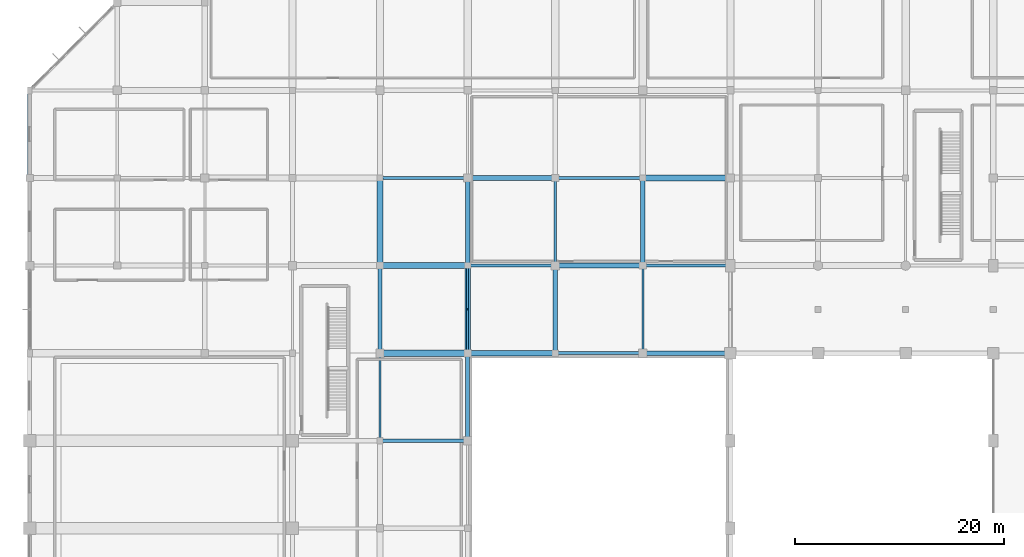
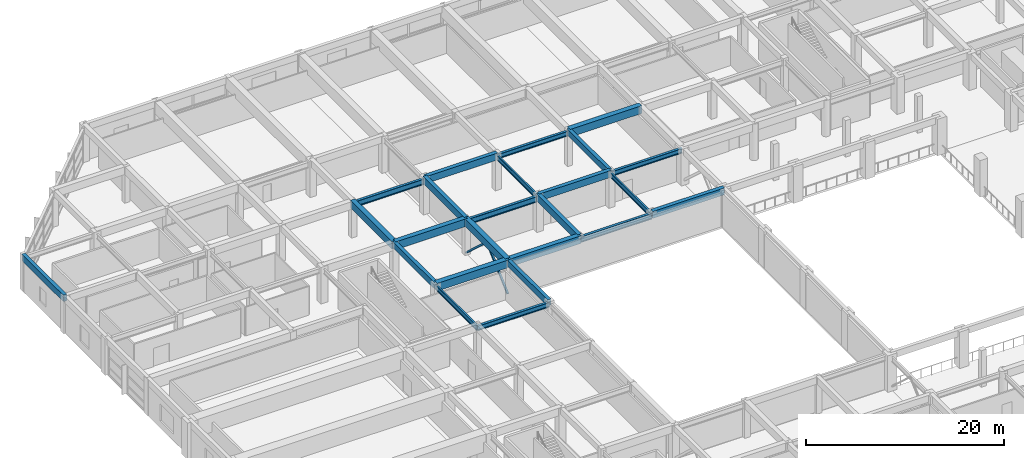
# One storey, part 23 of 65: 24 beams, 2 members.
"""IFC4 building model written with IfcOpenShell, lengths in metres."""

from ifc_helpers import new_model, si_unit, direction, frame, origin, origin_2d, place, context, subcontext, project, spatial, rectangle, hollow_rectangle, i_section, extrude, material, material_profile, profile_set, type_object, element, save


model = new_model("IFC4")

# Units and contexts
model_context = context("Model", 3, precision=1e-05, world=origin(), true_north=direction((0.0, 1.0)))
body_context = subcontext(model_context, "Body", "Model", "MODEL_VIEW")
ifc_project = project(units=[si_unit("LENGTHUNIT", "METRE"), si_unit("AREAUNIT", "SQUARE_METRE"), si_unit("VOLUMEUNIT", "CUBIC_METRE"), si_unit("PLANEANGLEUNIT", "RADIAN"), si_unit("MASSUNIT", "GRAM", prefix="KILO")], contexts=[model_context])

# Site, building, storey
site_placement = place(None, origin())
site = spatial("IfcSite", under=ifc_project, at=site_placement, CompositionType="ELEMENT")
building_placement = place(site_placement, origin())
building = spatial("IfcBuilding", under=site, at=building_placement, Name="Xuanlan Plaza Opera House", CompositionType="ELEMENT")
storey_placement = place(building_placement, frame((0.0, 0.0, 5.39990234375)))
storey = spatial("IfcBuildingStorey", under=building, at=storey_placement, Name="L01", CompositionType="ELEMENT", Elevation=5.39990234375)

# Beams
ifc_material_1 = material(Name="Concrete C50", Category="concrete")
ifc_material_profile_1 = material_profile(ifc_material_1, rectangle(XDim=0.60009765625, YDim=0.949951171875, at=origin_2d()), Name="RC-BM 600x950")
ifc_profile_set_1 = profile_set([ifc_material_profile_1], Name="Concrete C50")
beam_type_1 = type_object("IfcBeamType", Name="STR-BM-B-01", PredefinedType="BEAM", material=ifc_profile_set_1)
for number, where, z_axis, x_axis, name in (
    (1, (33.60009765625, 75.60009765625, 4.025146484375), (1.0, 0.0, 0.0), (0.0, 1.0, 0.0), "Grid Beam X L01 5-6/J"),
    (2, (58.800048828125, 92.39990234375, 4.025146484375), (1.0, 0.0, 0.0), (0.0, 1.0, 0.0), "Grid Beam X L01 8-9/L"),
):
    element("IfcBeam", number, at=place(storey_placement, frame(where, z_axis=z_axis, x_axis=x_axis)), inside=storey, type_object=beam_type_1, Name=name, PredefinedType="BEAM", context=body_context, shape_type="SweptSolid", body=[
        extrude(rectangle(XDim=0.60009765625, YDim=0.949951171875, at=origin_2d()), origin(), (0.0, 0.0, 1.0), 8.39990234375),
    ])
ifc_material_profile_2 = material_profile(ifc_material_1, rectangle(XDim=0.550048828125, YDim=0.949951171875, at=origin_2d()), Name="RC-BM 550x950")
ifc_profile_set_2 = profile_set([ifc_material_profile_2], Name="Concrete C50")
beam_type_2 = type_object("IfcBeamType", Name="STR-BM-B-02", PredefinedType="BEAM", material=ifc_profile_set_2)
for number, where, z_axis, x_axis, name in (
    (3, (42.0, 75.60009765625, 4.025146484375), (1.0, 0.0, 0.0), (0.0, 1.0, 0.0), "Grid Beam X L01 6-7/J"),
    (4, (33.60009765625, 84.0, 4.025146484375), (1.0, 0.0, 0.0), (0.0, 1.0, 0.0), "Grid Beam X L01 5-6/K"),
    (5, (33.60009765625, 84.0, 4.025146484375), (0.0, 1.0, 0.0), (-1.0, 0.0, 0.0), "Grid Beam Y L01 5/K-L"),
    (6, (42.0, 75.60009765625, 4.025146484375), (0.0, 1.0, 0.0), (-1.0, 0.0, 0.0), "Grid Beam Y L01 6/J-K"),
):
    element("IfcBeam", number, at=place(storey_placement, frame(where, z_axis=z_axis, x_axis=x_axis)), inside=storey, type_object=beam_type_2, Name=name, PredefinedType="BEAM", context=body_context, shape_type="SweptSolid", body=[
        extrude(rectangle(XDim=0.550048828125, YDim=0.949951171875, at=origin_2d()), origin(), (0.0, 0.0, 1.0), 8.39990234375),
    ])
ifc_material_2 = material(Name="Concrete C40", Category="concrete")
ifc_material_profile_3 = material_profile(ifc_material_2, rectangle(XDim=0.449951171875, YDim=0.85009765625, at=origin_2d()), Name="RC-BM 450x850")
ifc_profile_set_3 = profile_set([ifc_material_profile_3], Name="Concrete C40")
beam_type_3 = type_object("IfcBeamType", Name="STR-BM-B-04", PredefinedType="BEAM", material=ifc_profile_set_3)
beam_1_placement = place(storey_placement, frame((58.800048828125, 75.60009765625, 4.0751953125), z_axis=(1.0, 0.0, 0.0), x_axis=(0.0, 1.0, 0.0)))
element("IfcBeam", 7, at=beam_1_placement, inside=storey, type_object=beam_type_3, Name="Grid Beam X L01 8-9/J", PredefinedType="BEAM", context=body_context, shape_type="SweptSolid", body=[
    extrude(rectangle(XDim=0.449951171875, YDim=0.85009765625, at=origin_2d()), origin(), (0.0, 0.0, 1.0), 8.39990234375),
])
beam_2_placement = place(storey_placement, frame((50.39990234375, 84.0, 4.0751953125), z_axis=(1.0, 0.0, 0.0), x_axis=(0.0, 1.0, 0.0)))
element("IfcBeam", 8, at=beam_2_placement, inside=storey, type_object=beam_type_3, Name="Grid Beam X L01 7-8/K", PredefinedType="BEAM", context=body_context, shape_type="SweptSolid", body=[
    extrude(rectangle(XDim=0.449951171875, YDim=0.85009765625, at=origin_2d()), origin(), (0.0, 0.0, 1.0), 8.400146484375),
])
for number, where, z_axis, x_axis, name in (
    (9, (42.0, 92.39990234375, 4.0751953125), (1.0, 0.0, 0.0), (0.0, 1.0, 0.0), "Grid Beam X L01 6-7/L"),
    (10, (42.0, 84.0, 4.0751953125), (0.0, 1.0, 0.0), (-1.0, 0.0, 0.0), "Grid Beam Y L01 6/K-L"),
    (11, (50.39990234375, 75.60009765625, 4.0751953125), (0.0, 1.0, 0.0), (-1.0, 0.0, 0.0), "Grid Beam Y L01 7/J-K"),
):
    element("IfcBeam", number, at=place(storey_placement, frame(where, z_axis=z_axis, x_axis=x_axis)), inside=storey, type_object=beam_type_3, Name=name, PredefinedType="BEAM", context=body_context, shape_type="SweptSolid", body=[
        extrude(rectangle(XDim=0.449951171875, YDim=0.85009765625, at=origin_2d()), origin(), (0.0, 0.0, 1.0), 8.39990234375),
    ])
ifc_material_profile_4 = material_profile(ifc_material_2, rectangle(XDim=0.39990234375, YDim=0.75, at=origin_2d()), Name="RC-BM 400x750")
ifc_profile_set_4 = profile_set([ifc_material_profile_4], Name="Concrete C40")
beam_type_4 = type_object("IfcBeamType", Name="STR-BM-B-06", PredefinedType="BEAM", material=ifc_profile_set_4)
beam_3_placement = place(storey_placement, frame((33.60009765625, 75.60009765625, 4.125), z_axis=(0.0, 1.0, 0.0), x_axis=(-1.0, 0.0, 0.0)))
element("IfcBeam", 12, at=beam_3_placement, inside=storey, type_object=beam_type_4, Name="Grid Beam Y L01 5/J-K", PredefinedType="BEAM", context=body_context, shape_type="SweptSolid", body=[
    extrude(rectangle(XDim=0.39990234375, YDim=0.75, at=origin_2d()), origin(), (0.0, 0.0, 1.0), 8.39990234375),
])
beam_4_placement = place(storey_placement, frame((42.0, 67.199951171875, 4.125), z_axis=(0.0, 1.0, 0.0), x_axis=(-1.0, 0.0, 0.0)))
element("IfcBeam", 13, at=beam_4_placement, inside=storey, type_object=beam_type_4, Name="Grid Beam Y L01 6/I-J", PredefinedType="BEAM", context=body_context, shape_type="SweptSolid", body=[
    extrude(rectangle(XDim=0.39990234375, YDim=0.75, at=origin_2d()), origin(), (0.0, 0.0, 1.0), 8.400146484375),
])
beam_5_placement = place(storey_placement, frame((58.800048828125, 84.0, 4.125), z_axis=(0.0, 1.0, 0.0), x_axis=(-1.0, 0.0, 0.0)))
element("IfcBeam", 14, at=beam_5_placement, inside=storey, type_object=beam_type_4, Name="Grid Beam Y L01 8/K-L", PredefinedType="BEAM", context=body_context, shape_type="SweptSolid", body=[
    extrude(rectangle(XDim=0.39990234375, YDim=0.75, at=origin_2d()), origin(), (0.0, 0.0, 1.0), 8.39990234375),
])
ifc_material_3 = material(Name="Steel Q355B", Category="steel")
ifc_material_profile_5 = material_profile(ifc_material_3, i_section(OverallWidth=0.300048828125, OverallDepth=0.699951171875, WebThickness=0.012939453125, FlangeThickness=0.02392578125, FilletRadius=0.02392578125, at=origin_2d()), Name="HN 700x300x13x24")
ifc_profile_set_5 = profile_set([ifc_material_profile_5], Name="Steel Q355B")
beam_type_5 = type_object("IfcBeamType", Name="STR-BM-SB-03", PredefinedType="BEAM", material=ifc_profile_set_5)
beam_6_placement = place(storey_placement, frame((50.39990234375, 75.60009765625, 3.885009765625), z_axis=(1.0, 0.0, 0.0), x_axis=(0.0, 1.0, 0.0)))
element("IfcBeam", 15, at=beam_6_placement, inside=storey, type_object=beam_type_5, Name="Grid Beam X L01 7-8/J", PredefinedType="BEAM", context=body_context, shape_type="SweptSolid", body=[
    extrude(i_section(OverallWidth=0.300048828125, OverallDepth=0.699951171875, WebThickness=0.012939453125, FlangeThickness=0.02392578125, FilletRadius=0.02392578125, at=origin_2d()), origin(), (0.0, 0.0, 1.0), 8.400146484375),
])
for number, where, z_axis, x_axis, name in (
    (16, (42.0, 84.0, 3.885009765625), (1.0, 0.0, 0.0), (0.0, 1.0, 0.0), "Grid Beam X L01 6-7/K"),
    (17, (33.60009765625, 92.39990234375, 3.885009765625), (1.0, 0.0, 0.0), (0.0, 1.0, 0.0), "Grid Beam X L01 5-6/L"),
):
    element("IfcBeam", number, at=place(storey_placement, frame(where, z_axis=z_axis, x_axis=x_axis)), inside=storey, type_object=beam_type_5, Name=name, PredefinedType="BEAM", context=body_context, shape_type="SweptSolid", body=[
        extrude(i_section(OverallWidth=0.300048828125, OverallDepth=0.699951171875, WebThickness=0.012939453125, FlangeThickness=0.02392578125, FilletRadius=0.02392578125, at=origin_2d()), origin(), (0.0, 0.0, 1.0), 8.39990234375),
    ])
ifc_material_profile_6 = material_profile(ifc_material_3, i_section(OverallWidth=0.199951171875, OverallDepth=0.60009765625, WebThickness=0.010986328125, FlangeThickness=0.01708984375, FilletRadius=0.02197265625, at=origin_2d()), Name="HN 600x200x11x17")
ifc_profile_set_6 = profile_set([ifc_material_profile_6], Name="Steel Q355B")
beam_type_6 = type_object("IfcBeamType", Name="STR-BM-SB-04", PredefinedType="BEAM", material=ifc_profile_set_6)
beam_7_placement = place(storey_placement, frame((33.60009765625, 67.199951171875, 3.93505859375), z_axis=(0.0, 1.0, 0.0), x_axis=(-1.0, 0.0, 0.0)))
element("IfcBeam", 18, at=beam_7_placement, inside=storey, type_object=beam_type_6, Name="Grid Beam Y L01 5/I-J", PredefinedType="BEAM", context=body_context, shape_type="SweptSolid", body=[
    extrude(i_section(OverallWidth=0.199951171875, OverallDepth=0.60009765625, WebThickness=0.010986328125, FlangeThickness=0.01708984375, FilletRadius=0.02197265625, at=origin_2d()), origin(), (0.0, 0.0, 1.0), 8.400146484375),
])
for number, where, z_axis, x_axis, name in (
    (19, (50.39990234375, 84.0, 3.93505859375), (0.0, 1.0, 0.0), (-1.0, 0.0, 0.0), "Grid Beam Y L01 7/K-L"),
    (20, (58.800048828125, 75.60009765625, 3.93505859375), (0.0, 1.0, 0.0), (-1.0, 0.0, 0.0), "Grid Beam Y L01 8/J-K"),
):
    element("IfcBeam", number, at=place(storey_placement, frame(where, z_axis=z_axis, x_axis=x_axis)), inside=storey, type_object=beam_type_6, Name=name, PredefinedType="BEAM", context=body_context, shape_type="SweptSolid", body=[
        extrude(i_section(OverallWidth=0.199951171875, OverallDepth=0.60009765625, WebThickness=0.010986328125, FlangeThickness=0.01708984375, FilletRadius=0.02197265625, at=origin_2d()), origin(), (0.0, 0.0, 1.0), 8.39990234375),
    ])
ifc_material_profile_7 = material_profile(ifc_material_3, i_section(OverallWidth=0.300048828125, OverallDepth=0.587890625, WebThickness=0.011962890625, FlangeThickness=0.02001953125, FilletRadius=0.02392578125, at=origin_2d()), Name="HM 588x300x12x20")
ifc_profile_set_7 = profile_set([ifc_material_profile_7], Name="Steel Q355B")
beam_type_7 = type_object("IfcBeamType", Name="STR-BM-SB-06", PredefinedType="BEAM", material=ifc_profile_set_7)
for number, where, z_axis, x_axis, name in (
    (21, (33.60009765625, 67.199951171875, 3.941162109375), (1.0, 0.0, 0.0), (0.0, 1.0, 0.0), "Grid Beam X L01 5-6/I"),
    (22, (58.800048828125, 84.0, 3.941162109375), (1.0, 0.0, 0.0), (0.0, 1.0, 0.0), "Grid Beam X L01 8-9/K"),
):
    element("IfcBeam", number, at=place(storey_placement, frame(where, z_axis=z_axis, x_axis=x_axis)), inside=storey, type_object=beam_type_7, Name=name, PredefinedType="BEAM", context=body_context, shape_type="SweptSolid", body=[
        extrude(i_section(OverallWidth=0.300048828125, OverallDepth=0.587890625, WebThickness=0.011962890625, FlangeThickness=0.02001953125, FilletRadius=0.02392578125, at=origin_2d()), origin(), (0.0, 0.0, 1.0), 8.39990234375),
    ])
beam_8_placement = place(storey_placement, frame((50.39990234375, 92.39990234375, 3.941162109375), z_axis=(1.0, 0.0, 0.0), x_axis=(0.0, 1.0, 0.0)))
element("IfcBeam", 23, at=beam_8_placement, inside=storey, type_object=beam_type_7, Name="Grid Beam X L01 7-8/L", PredefinedType="BEAM", context=body_context, shape_type="SweptSolid", body=[
    extrude(i_section(OverallWidth=0.300048828125, OverallDepth=0.587890625, WebThickness=0.011962890625, FlangeThickness=0.02001953125, FilletRadius=0.02392578125, at=origin_2d()), origin(), (0.0, 0.0, 1.0), 8.400146484375),
])
ifc_material_profile_8 = material_profile(ifc_material_2, rectangle(XDim=0.39990234375, YDim=0.800048828125, at=origin_2d()), Name="RC-SPD 400x800")
ifc_profile_set_8 = profile_set([ifc_material_profile_8], Name="Concrete C40")
beam_type_8 = type_object("IfcBeamType", Name="STR-BM-SP-01", PredefinedType="SPANDREL", material=ifc_profile_set_8)
beam_9_placement = place(storey_placement, frame((0.0, 92.39990234375, 4.10009765625), z_axis=(0.0, 1.0, 0.0), x_axis=(-1.0, 0.0, 0.0)))
element("IfcBeam", 24, at=beam_9_placement, inside=storey, type_object=beam_type_8, Name="Grid Beam Y L01 1/L-M", PredefinedType="SPANDREL", context=body_context, shape_type="SweptSolid", body=[
    extrude(rectangle(XDim=0.39990234375, YDim=0.800048828125, at=origin_2d()), origin(), (0.0, 0.0, 1.0), 8.400146484375),
])

# Members
ifc_material_profile_9 = material_profile(ifc_material_3, hollow_rectangle(XDim=0.199951171875, YDim=0.199951171875, WallThickness=0.010009765625, at=origin_2d()), Name="SHS 200x200x10")
ifc_profile_set_9 = profile_set([ifc_material_profile_9], Name="Steel Q355B")
member_type = type_object("IfcMemberType", Name="STR-MEM-BR-07", PredefinedType="BRACE", material=ifc_profile_set_9)
for number, where, z_axis, x_axis, name in (
    (25, (42.0, 75.60009765625, 0.10009765625), (0.0, 0.737141689437, 0.675738210918), (-1.0, 0.0, 0.0), "Stage Lateral Chevron Brace L01-1A"),
    (26, (42.0, 84.0, 0.10009765625), (0.0, -0.737141689437, 0.675738210918), (1.0, 0.0, 0.0), "Stage Lateral Chevron Brace L01-1B"),
):
    element("IfcMember", number, at=place(storey_placement, frame(where, z_axis=z_axis, x_axis=x_axis)), inside=storey, type_object=member_type, Name=name, PredefinedType="BRACE", context=body_context, shape_type="SweptSolid", body=[
        extrude(hollow_rectangle(XDim=0.199951171875, YDim=0.199951171875, WallThickness=0.010009765625, at=origin_2d()), origin(), (0.0, 0.0, 1.0), 5.697509765625),
    ])

save(model, "model.ifc")
